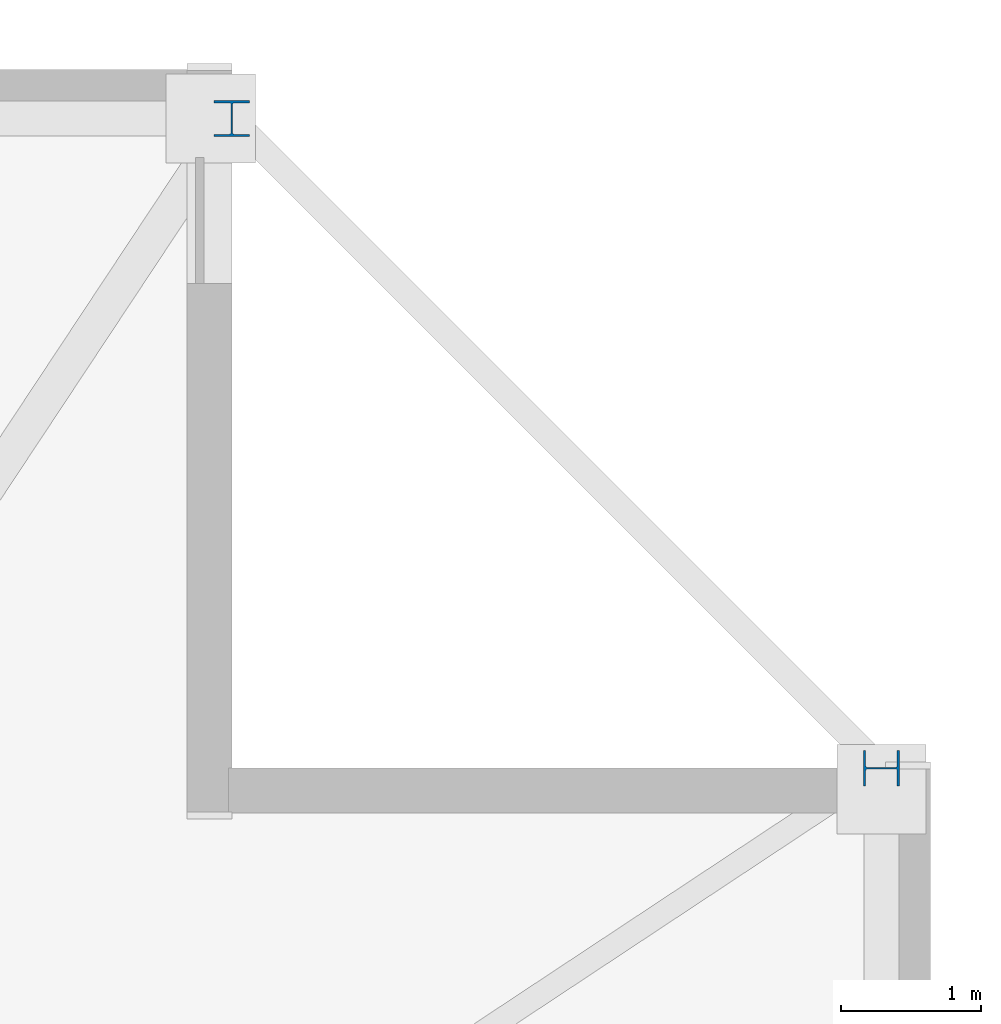
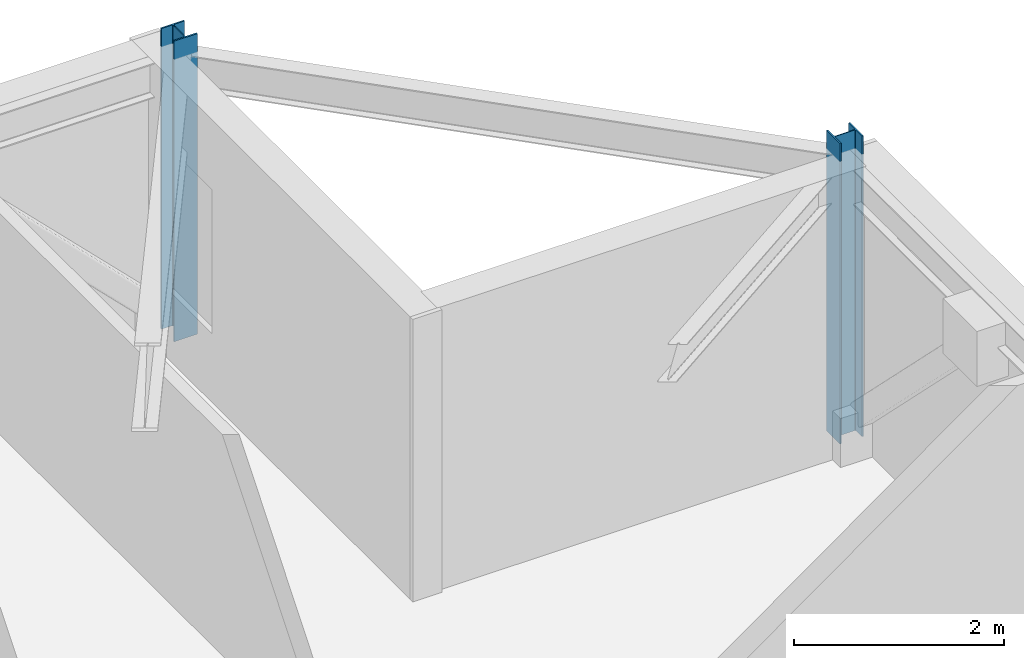
# One storey, part 5 of 17: 2 columns.
"""IFC4 building model written with IfcOpenShell, lengths in metres."""

from ifc_helpers import new_model, si_unit, direction, frame, origin, origin_2d, place, context, subcontext, project, spatial, i_section, extrude, material, material_profile, profile_set, type_object, element, save


model = new_model("IFC4")

# Units and contexts
model_context = context("Model", 3, precision=1e-05, world=origin(), true_north=direction((0.0, 1.0)))
body_context = subcontext(model_context, "Body", "Model", "MODEL_VIEW")
ifc_project = project(units=[si_unit("LENGTHUNIT", "METRE"), si_unit("AREAUNIT", "SQUARE_METRE"), si_unit("VOLUMEUNIT", "CUBIC_METRE"), si_unit("PLANEANGLEUNIT", "RADIAN"), si_unit("MASSUNIT", "GRAM", prefix="KILO")], contexts=[model_context])

# Site, building, storey
site_placement = place(None, origin())
site = spatial("IfcSite", under=ifc_project, at=site_placement, CompositionType="ELEMENT")
building_placement = place(site_placement, origin())
building = spatial("IfcBuilding", under=site, at=building_placement, Name="Cairnveth Concourse Tower", CompositionType="ELEMENT")
storey_placement = place(building_placement, frame((0.0, 0.0, 202.5)))
storey = spatial("IfcBuildingStorey", under=building, at=storey_placement, Name="L55", CompositionType="ELEMENT", Elevation=202.5)

# Columns
ifc_material = material(Name="Steel Grade 350", Category="steel")
ifc_material_profile = material_profile(ifc_material, i_section(OverallWidth=0.256103515625, OverallDepth=0.260009765625, WebThickness=0.010498046875, FlangeThickness=0.017333984375, FilletRadius=0.012939453125, at=origin_2d()), Name="250UC89.5")
ifc_profile_set = profile_set([ifc_material_profile], Name="Steel Grade 350")
column_type = type_object("IfcColumnType", Name="UNIVERSAL STEEL COLUMN 250UC89.5", PredefinedType="COLUMN", material=ifc_profile_set)
for number, where, z_axis, x_axis, name in (
    (1, (74.14990234375, 56.5, 0.0), (0.0, 0.0, 1.0), (0.0, 1.0, 0.0), "Column P-E4 L55"),
    (2, (69.5, 61.14990234375, 0.0), (0.0, 0.0, 1.0), (1.0, 0.0, 0.0), "Column P-N1 L55"),
):
    element("IfcColumn", number, at=place(storey_placement, frame(where, z_axis=z_axis, x_axis=x_axis)), inside=storey, type_object=column_type, Name=name, PredefinedType="COLUMN", context=body_context, shape_type="SweptSolid", body=[
        extrude(i_section(OverallWidth=0.256103515625, OverallDepth=0.260009765625, WebThickness=0.010498046875, FlangeThickness=0.017333984375, FilletRadius=0.012939453125, at=origin_2d()), origin(), (0.0, 0.0, 1.0), 3.5),
    ])

save(model, "model.ifc")
